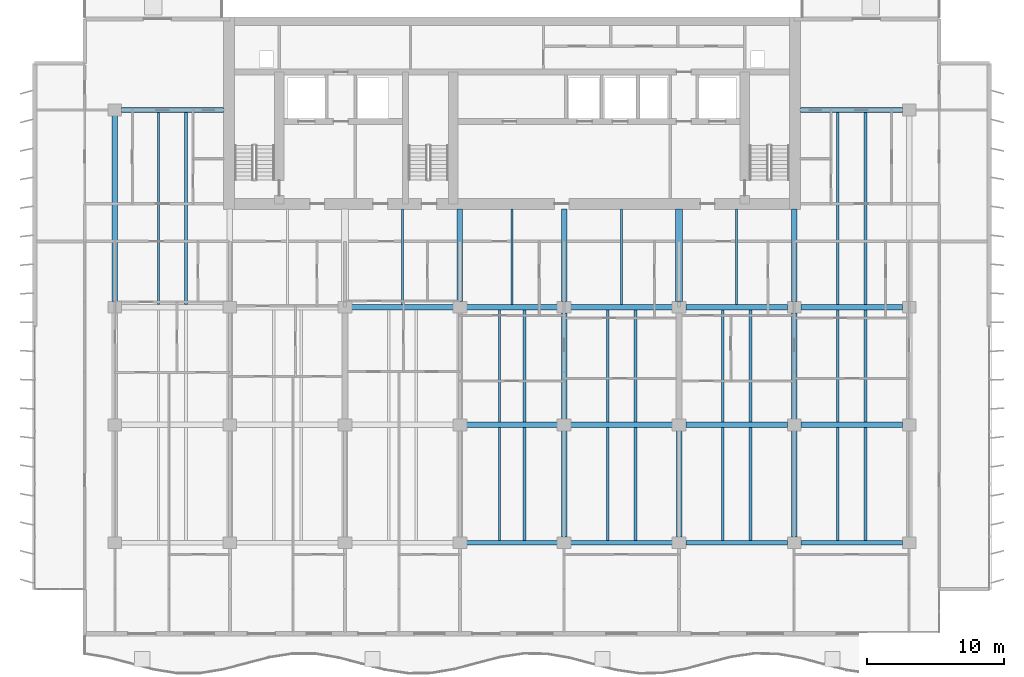
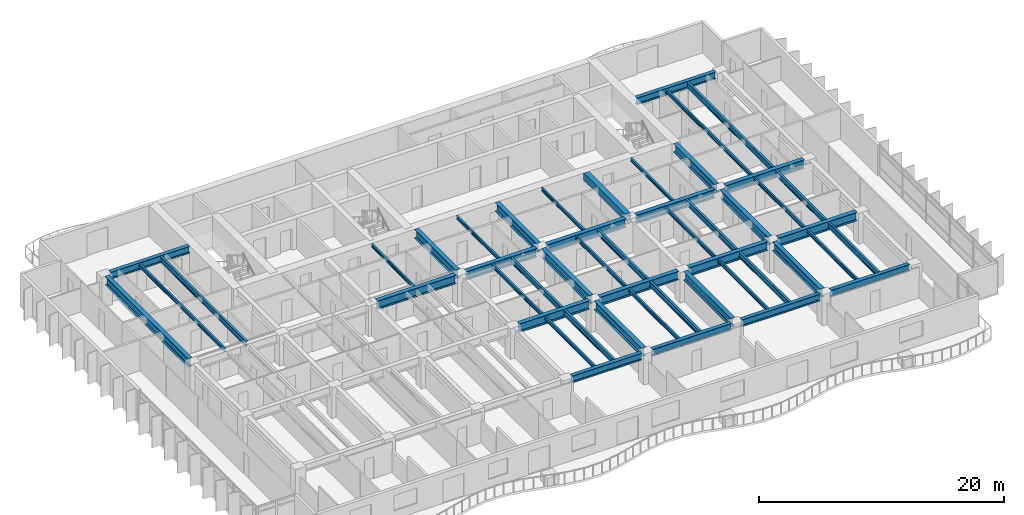
# One storey, part 3 of 16: 49 beams.
"""IFC4 building model written with IfcOpenShell, lengths in metres."""

from ifc_helpers import new_model, si_unit, direction, frame, origin, origin_2d, place, context, subcontext, project, spatial, rectangle, i_section, extrude, material, material_profile, profile_set, type_object, element, save


model = new_model("IFC4")

# Units and contexts
model_context = context("Model", 3, precision=1e-05, world=origin(), true_north=direction((0.0, 1.0)))
body_context = subcontext(model_context, "Body", "Model", "MODEL_VIEW")
ifc_project = project(units=[si_unit("LENGTHUNIT", "METRE"), si_unit("AREAUNIT", "SQUARE_METRE"), si_unit("VOLUMEUNIT", "CUBIC_METRE"), si_unit("PLANEANGLEUNIT", "RADIAN"), si_unit("MASSUNIT", "GRAM", prefix="KILO")], contexts=[model_context])

# Site, building, storey
site_placement = place(None, origin())
site = spatial("IfcSite", under=ifc_project, at=site_placement, CompositionType="ELEMENT")
building_placement = place(site_placement, origin())
building = spatial("IfcBuilding", under=site, at=building_placement, Name="Caelmar Bay Residences", CompositionType="ELEMENT")
storey_placement = place(building_placement, frame((0.0, 0.0, 142.199951171875)))
storey = spatial("IfcBuildingStorey", under=building, at=storey_placement, Name="L39", CompositionType="ELEMENT", Elevation=142.199951171875)

# Beams
ifc_material_1 = material(Name="Steel ASTM A992 Grade 50", Category="steel")
ifc_material_profile_1 = material_profile(ifc_material_1, i_section(OverallWidth=0.40087890625, OverallDepth=0.861083984375, WebThickness=0.019775390625, FlangeThickness=0.032470703125, FilletRadius=0.017822265625, at=origin_2d()), Name="W33X221")
ifc_profile_set_1 = profile_set([ifc_material_profile_1], Name="Steel ASTM A992 Grade 50")
beam_type_1 = type_object("IfcBeamType", Name="BM-GRD-W33X221", PredefinedType="BEAM", material=ifc_profile_set_1)
beam_1_placement = place(storey_placement, frame((35.590087890625, 20.800048828125, 2.61962890625), z_axis=(1.0, 0.0, 0.0), x_axis=(0.0, 1.0, 0.0)))
element("IfcBeam", 1, at=beam_1_placement, inside=storey, type_object=beam_type_1, Name="L39 East-West Girder Y=20.80 (35.1-42.7)", PredefinedType="BEAM", context=body_context, shape_type="SweptSolid", body=[
    extrude(i_section(OverallWidth=0.40087890625, OverallDepth=0.861083984375, WebThickness=0.019775390625, FlangeThickness=0.032470703125, FilletRadius=0.017822265625, at=origin_2d()), origin(), (0.0, 0.0, 1.0), 6.619873046875),
])
beam_2_placement = place(storey_placement, frame((43.18994140625, 20.800048828125, 2.61962890625), z_axis=(1.0, 0.0, 0.0), x_axis=(0.0, 1.0, 0.0)))
element("IfcBeam", 2, at=beam_2_placement, inside=storey, type_object=beam_type_1, Name="L39 East-West Girder Y=20.80 (42.7-51.1)", PredefinedType="BEAM", context=body_context, shape_type="SweptSolid", body=[
    extrude(i_section(OverallWidth=0.40087890625, OverallDepth=0.861083984375, WebThickness=0.019775390625, FlangeThickness=0.032470703125, FilletRadius=0.017822265625, at=origin_2d()), origin(), (0.0, 0.0, 1.0), 7.420166015625),
])
for number, where, z_axis, x_axis, name in (
    (3, (51.590087890625, 20.800048828125, 2.61962890625), (1.0, 0.0, 0.0), (0.0, 1.0, 0.0), "L39 East-West Girder Y=20.80 (51.1-59.5)"),
    (4, (59.989990234375, 20.800048828125, 2.61962890625), (1.0, 0.0, 0.0), (0.0, 1.0, 0.0), "L39 East-West Girder Y=20.80 (59.5-67.9)"),
):
    element("IfcBeam", number, at=place(storey_placement, frame(where, z_axis=z_axis, x_axis=x_axis)), inside=storey, type_object=beam_type_1, Name=name, PredefinedType="BEAM", context=body_context, shape_type="SweptSolid", body=[
        extrude(i_section(OverallWidth=0.40087890625, OverallDepth=0.861083984375, WebThickness=0.019775390625, FlangeThickness=0.032470703125, FilletRadius=0.017822265625, at=origin_2d()), origin(), (0.0, 0.0, 1.0), 7.419921875),
    ])
beam_3_placement = place(storey_placement, frame((27.18994140625, 29.39990234375, 2.61962890625), z_axis=(1.0, 0.0, 0.0), x_axis=(0.0, 1.0, 0.0)))
element("IfcBeam", 5, at=beam_3_placement, inside=storey, type_object=beam_type_1, Name="L39 East-West Girder Y=29.40 (26.7-35.1)", PredefinedType="BEAM", context=body_context, shape_type="SweptSolid", body=[
    extrude(i_section(OverallWidth=0.40087890625, OverallDepth=0.861083984375, WebThickness=0.019775390625, FlangeThickness=0.032470703125, FilletRadius=0.017822265625, at=origin_2d()), origin(), (0.0, 0.0, 1.0), 7.420166015625),
])
beam_4_placement = place(storey_placement, frame((35.590087890625, 29.39990234375, 2.61962890625), z_axis=(1.0, 0.0, 0.0), x_axis=(0.0, 1.0, 0.0)))
element("IfcBeam", 6, at=beam_4_placement, inside=storey, type_object=beam_type_1, Name="L39 East-West Girder Y=29.40 (35.1-42.7)", PredefinedType="BEAM", context=body_context, shape_type="SweptSolid", body=[
    extrude(i_section(OverallWidth=0.40087890625, OverallDepth=0.861083984375, WebThickness=0.019775390625, FlangeThickness=0.032470703125, FilletRadius=0.017822265625, at=origin_2d()), origin(), (0.0, 0.0, 1.0), 6.619873046875),
])
beam_5_placement = place(storey_placement, frame((43.18994140625, 29.39990234375, 2.61962890625), z_axis=(1.0, 0.0, 0.0), x_axis=(0.0, 1.0, 0.0)))
element("IfcBeam", 7, at=beam_5_placement, inside=storey, type_object=beam_type_1, Name="L39 East-West Girder Y=29.40 (42.7-51.1)", PredefinedType="BEAM", context=body_context, shape_type="SweptSolid", body=[
    extrude(i_section(OverallWidth=0.40087890625, OverallDepth=0.861083984375, WebThickness=0.019775390625, FlangeThickness=0.032470703125, FilletRadius=0.017822265625, at=origin_2d()), origin(), (0.0, 0.0, 1.0), 7.420166015625),
])
for number, where, z_axis, x_axis, name in (
    (8, (51.590087890625, 29.39990234375, 2.61962890625), (1.0, 0.0, 0.0), (0.0, 1.0, 0.0), "L39 East-West Girder Y=29.40 (51.1-59.5)"),
    (9, (59.989990234375, 29.39990234375, 2.61962890625), (1.0, 0.0, 0.0), (0.0, 1.0, 0.0), "L39 East-West Girder Y=29.40 (59.5-67.9)"),
):
    element("IfcBeam", number, at=place(storey_placement, frame(where, z_axis=z_axis, x_axis=x_axis)), inside=storey, type_object=beam_type_1, Name=name, PredefinedType="BEAM", context=body_context, shape_type="SweptSolid", body=[
        extrude(i_section(OverallWidth=0.40087890625, OverallDepth=0.861083984375, WebThickness=0.019775390625, FlangeThickness=0.032470703125, FilletRadius=0.017822265625, at=origin_2d()), origin(), (0.0, 0.0, 1.0), 7.419921875),
    ])
beam_6_placement = place(storey_placement, frame((9.89990234375, 29.81494140625, 2.61962890625), z_axis=(0.0, 1.0, 0.0), x_axis=(-1.0, 0.0, 0.0)))
element("IfcBeam", 10, at=beam_6_placement, inside=storey, type_object=beam_type_1, Name="L39 North-South Girder X=9.90 (29.4-43.8)", PredefinedType="BEAM", context=body_context, shape_type="SweptSolid", body=[
    extrude(i_section(OverallWidth=0.40087890625, OverallDepth=0.861083984375, WebThickness=0.019775390625, FlangeThickness=0.032470703125, FilletRadius=0.017822265625, at=origin_2d()), origin(), (0.0, 0.0, 1.0), 13.570068359375),
])
for number, where, z_axis, x_axis, name in (
    (11, (35.10009765625, 29.81494140625, 2.61962890625), (0.0, 1.0, 0.0), (-1.0, 0.0, 0.0), "L39 Core Tie Girder X=35.10"),
    (12, (42.699951171875, 29.81494140625, 2.61962890625), (0.0, 1.0, 0.0), (-1.0, 0.0, 0.0), "L39 Core Tie Girder X=42.70"),
):
    element("IfcBeam", number, at=place(storey_placement, frame(where, z_axis=z_axis, x_axis=x_axis)), inside=storey, type_object=beam_type_1, Name=name, PredefinedType="BEAM", context=body_context, shape_type="SweptSolid", body=[
        extrude(i_section(OverallWidth=0.40087890625, OverallDepth=0.861083984375, WebThickness=0.019775390625, FlangeThickness=0.032470703125, FilletRadius=0.017822265625, at=origin_2d()), origin(), (0.0, 0.0, 1.0), 6.735107421875),
    ])
for number, where, z_axis, x_axis, name in (
    (13, (42.699951171875, 12.614990234375, 2.61962890625), (0.0, 1.0, 0.0), (-1.0, 0.0, 0.0), "L39 North-South Girder X=42.70 (12.2-20.8)"),
    (14, (42.699951171875, 21.215087890625, 2.61962890625), (0.0, 1.0, 0.0), (-1.0, 0.0, 0.0), "L39 North-South Girder X=42.70 (20.8-29.4)"),
    (15, (51.10009765625, 12.614990234375, 2.61962890625), (0.0, 1.0, 0.0), (-1.0, 0.0, 0.0), "L39 North-South Girder X=51.10 (12.2-20.8)"),
):
    element("IfcBeam", number, at=place(storey_placement, frame(where, z_axis=z_axis, x_axis=x_axis)), inside=storey, type_object=beam_type_1, Name=name, PredefinedType="BEAM", context=body_context, shape_type="SweptSolid", body=[
        extrude(i_section(OverallWidth=0.40087890625, OverallDepth=0.861083984375, WebThickness=0.019775390625, FlangeThickness=0.032470703125, FilletRadius=0.017822265625, at=origin_2d()), origin(), (0.0, 0.0, 1.0), 7.77001953125),
    ])
beam_7_placement = place(storey_placement, frame((59.5, 29.81494140625, 2.61962890625), z_axis=(0.0, 1.0, 0.0), x_axis=(-1.0, 0.0, 0.0)))
element("IfcBeam", 16, at=beam_7_placement, inside=storey, type_object=beam_type_1, Name="L39 Core Tie Girder X=59.50", PredefinedType="BEAM", context=body_context, shape_type="SweptSolid", body=[
    extrude(i_section(OverallWidth=0.40087890625, OverallDepth=0.861083984375, WebThickness=0.019775390625, FlangeThickness=0.032470703125, FilletRadius=0.017822265625, at=origin_2d()), origin(), (0.0, 0.0, 1.0), 6.735107421875),
])
for number, where, z_axis, x_axis, name in (
    (17, (59.5, 12.614990234375, 2.61962890625), (0.0, 1.0, 0.0), (-1.0, 0.0, 0.0), "L39 North-South Girder X=59.50 (12.2-20.8)"),
    (18, (59.5, 21.215087890625, 2.61962890625), (0.0, 1.0, 0.0), (-1.0, 0.0, 0.0), "L39 North-South Girder X=59.50 (20.8-29.4)"),
):
    element("IfcBeam", number, at=place(storey_placement, frame(where, z_axis=z_axis, x_axis=x_axis)), inside=storey, type_object=beam_type_1, Name=name, PredefinedType="BEAM", context=body_context, shape_type="SweptSolid", body=[
        extrude(i_section(OverallWidth=0.40087890625, OverallDepth=0.861083984375, WebThickness=0.019775390625, FlangeThickness=0.032470703125, FilletRadius=0.017822265625, at=origin_2d()), origin(), (0.0, 0.0, 1.0), 7.77001953125),
    ])
ifc_material_profile_2 = material_profile(ifc_material_1, i_section(OverallWidth=0.1650390625, OverallDepth=0.31005859375, WebThickness=0.005859375, FlangeThickness=0.009765625, FilletRadius=0.007568359375, at=origin_2d()), Name="W12X26")
ifc_profile_set_2 = profile_set([ifc_material_profile_2], Name="Steel ASTM A992 Grade 50")
beam_type_2 = type_object("IfcBeamType", Name="BM-JST-W12X26", PredefinedType="JOIST", material=ifc_profile_set_2)
for number, where, z_axis, x_axis, name in (
    (19, (30.89990234375, 29.6005859375, 2.89501953125), (0.0, 1.0, 0.0), (-1.0, 0.0, 0.0), "L39 Core-Band Composite Joist 30"),
    (20, (38.89990234375, 29.6005859375, 2.89501953125), (0.0, 1.0, 0.0), (-1.0, 0.0, 0.0), "L39 Core-Band Composite Joist 31"),
    (21, (46.89990234375, 29.6005859375, 2.89501953125), (0.0, 1.0, 0.0), (-1.0, 0.0, 0.0), "L39 Core-Band Composite Joist 32"),
    (22, (55.300048828125, 29.6005859375, 2.89501953125), (0.0, 1.0, 0.0), (-1.0, 0.0, 0.0), "L39 Core-Band Composite Joist 33"),
):
    element("IfcBeam", number, at=place(storey_placement, frame(where, z_axis=z_axis, x_axis=x_axis)), inside=storey, type_object=beam_type_2, Name=name, PredefinedType="JOIST", context=body_context, shape_type="SweptSolid", body=[
        extrude(i_section(OverallWidth=0.1650390625, OverallDepth=0.31005859375, WebThickness=0.005859375, FlangeThickness=0.009765625, FilletRadius=0.007568359375, at=origin_2d()), origin(), (0.0, 0.0, 1.0), 6.949462890625),
    ])
ifc_material_profile_3 = material_profile(ifc_material_1, i_section(OverallWidth=0.1708984375, OverallDepth=0.35595703125, WebThickness=0.007080078125, FlangeThickness=0.01171875, FilletRadius=0.007568359375, at=origin_2d()), Name="W14X34")
ifc_profile_set_3 = profile_set([ifc_material_profile_3], Name="Steel ASTM A992 Grade 50")
beam_type_3 = type_object("IfcBeamType", Name="BM-JST-W14X34", PredefinedType="JOIST", material=ifc_profile_set_3)
for number, where, z_axis, x_axis, name in (
    (23, (37.988037109375, 12.3779296875, 2.8720703125), (0.0, 1.0, 0.0), (-1.0, 0.0, 0.0), "L39 Composite Floor Joist 7"),
    (24, (45.89208984375, 12.3779296875, 2.8720703125), (0.0, 1.0, 0.0), (-1.0, 0.0, 0.0), "L39 Composite Floor Joist 9"),
    (25, (54.2919921875, 12.3779296875, 2.8720703125), (0.0, 1.0, 0.0), (-1.0, 0.0, 0.0), "L39 Composite Floor Joist 11"),
    (26, (62.69189453125, 12.3779296875, 2.8720703125), (0.0, 1.0, 0.0), (-1.0, 0.0, 0.0), "L39 Composite Floor Joist 13"),
):
    element("IfcBeam", number, at=place(storey_placement, frame(where, z_axis=z_axis, x_axis=x_axis)), inside=storey, type_object=beam_type_3, Name=name, PredefinedType="JOIST", context=body_context, shape_type="SweptSolid", body=[
        extrude(i_section(OverallWidth=0.1708984375, OverallDepth=0.35595703125, WebThickness=0.007080078125, FlangeThickness=0.01171875, FilletRadius=0.007568359375, at=origin_2d()), origin(), (0.0, 0.0, 1.0), 8.2216796875),
    ])
for number, where, z_axis, x_axis, name in (
    (27, (37.988037109375, 21.00048828125, 2.8720703125), (0.0, 1.0, 0.0), (-1.0, 0.0, 0.0), "L39 Composite Floor Joist 21"),
    (28, (45.89208984375, 21.00048828125, 2.8720703125), (0.0, 1.0, 0.0), (-1.0, 0.0, 0.0), "L39 Composite Floor Joist 23"),
    (29, (54.2919921875, 21.00048828125, 2.8720703125), (0.0, 1.0, 0.0), (-1.0, 0.0, 0.0), "L39 Composite Floor Joist 25"),
    (30, (62.69189453125, 21.00048828125, 2.8720703125), (0.0, 1.0, 0.0), (-1.0, 0.0, 0.0), "L39 Composite Floor Joist 27"),
):
    element("IfcBeam", number, at=place(storey_placement, frame(where, z_axis=z_axis, x_axis=x_axis)), inside=storey, type_object=beam_type_3, Name=name, PredefinedType="JOIST", context=body_context, shape_type="SweptSolid", body=[
        extrude(i_section(OverallWidth=0.1708984375, OverallDepth=0.35595703125, WebThickness=0.007080078125, FlangeThickness=0.01171875, FilletRadius=0.007568359375, at=origin_2d()), origin(), (0.0, 0.0, 1.0), 8.198974609375),
    ])
for number, where, z_axis, x_axis, name in (
    (31, (13.092041015625, 29.6005859375, 2.8720703125), (0.0, 1.0, 0.0), (-1.0, 0.0, 0.0), "L39 Composite Floor Joist 34"),
    (32, (62.69189453125, 29.6005859375, 2.8720703125), (0.0, 1.0, 0.0), (-1.0, 0.0, 0.0), "L39 Composite Floor Joist 36"),
):
    element("IfcBeam", number, at=place(storey_placement, frame(where, z_axis=z_axis, x_axis=x_axis)), inside=storey, type_object=beam_type_3, Name=name, PredefinedType="JOIST", context=body_context, shape_type="SweptSolid", body=[
        extrude(i_section(OverallWidth=0.1708984375, OverallDepth=0.35595703125, WebThickness=0.007080078125, FlangeThickness=0.01171875, FilletRadius=0.007568359375, at=origin_2d()), origin(), (0.0, 0.0, 1.0), 14.021484375),
    ])
ifc_material_profile_4 = material_profile(ifc_material_1, i_section(OverallWidth=0.2099609375, OverallDepth=0.535888671875, WebThickness=0.010986328125, FlangeThickness=0.017333984375, FilletRadius=0.0126953125, at=origin_2d()), Name="W21X68")
ifc_profile_set_4 = profile_set([ifc_material_profile_4], Name="Steel ASTM A992 Grade 50")
beam_type_4 = type_object("IfcBeamType", Name="BM-JST-W21X68", PredefinedType="JOIST", material=ifc_profile_set_4)
for number, where, z_axis, x_axis, name in (
    (33, (39.81201171875, 12.3779296875, 2.781982421875), (0.0, 1.0, 0.0), (-1.0, 0.0, 0.0), "L39 Composite Floor Joist 8"),
    (34, (47.907958984375, 12.3779296875, 2.781982421875), (0.0, 1.0, 0.0), (-1.0, 0.0, 0.0), "L39 Composite Floor Joist 10"),
    (35, (56.30810546875, 12.3779296875, 2.781982421875), (0.0, 1.0, 0.0), (-1.0, 0.0, 0.0), "L39 Composite Floor Joist 12"),
    (36, (64.7080078125, 12.3779296875, 2.781982421875), (0.0, 1.0, 0.0), (-1.0, 0.0, 0.0), "L39 Composite Floor Joist 14"),
):
    element("IfcBeam", number, at=place(storey_placement, frame(where, z_axis=z_axis, x_axis=x_axis)), inside=storey, type_object=beam_type_4, Name=name, PredefinedType="JOIST", context=body_context, shape_type="SweptSolid", body=[
        extrude(i_section(OverallWidth=0.2099609375, OverallDepth=0.535888671875, WebThickness=0.010986328125, FlangeThickness=0.017333984375, FilletRadius=0.0126953125, at=origin_2d()), origin(), (0.0, 0.0, 1.0), 8.2216796875),
    ])
for number, where, z_axis, x_axis, name in (
    (37, (39.81201171875, 21.00048828125, 2.781982421875), (0.0, 1.0, 0.0), (-1.0, 0.0, 0.0), "L39 Composite Floor Joist 22"),
    (38, (47.907958984375, 21.00048828125, 2.781982421875), (0.0, 1.0, 0.0), (-1.0, 0.0, 0.0), "L39 Composite Floor Joist 24"),
    (39, (56.30810546875, 21.00048828125, 2.781982421875), (0.0, 1.0, 0.0), (-1.0, 0.0, 0.0), "L39 Composite Floor Joist 26"),
    (40, (64.7080078125, 21.00048828125, 2.781982421875), (0.0, 1.0, 0.0), (-1.0, 0.0, 0.0), "L39 Composite Floor Joist 28"),
):
    element("IfcBeam", number, at=place(storey_placement, frame(where, z_axis=z_axis, x_axis=x_axis)), inside=storey, type_object=beam_type_4, Name=name, PredefinedType="JOIST", context=body_context, shape_type="SweptSolid", body=[
        extrude(i_section(OverallWidth=0.2099609375, OverallDepth=0.535888671875, WebThickness=0.010986328125, FlangeThickness=0.017333984375, FilletRadius=0.0126953125, at=origin_2d()), origin(), (0.0, 0.0, 1.0), 8.198974609375),
    ])
for number, where, z_axis, x_axis, name in (
    (41, (15.10791015625, 29.6005859375, 2.781982421875), (0.0, 1.0, 0.0), (-1.0, 0.0, 0.0), "L39 Composite Floor Joist 35"),
    (42, (64.7080078125, 29.6005859375, 2.781982421875), (0.0, 1.0, 0.0), (-1.0, 0.0, 0.0), "L39 Composite Floor Joist 37"),
):
    element("IfcBeam", number, at=place(storey_placement, frame(where, z_axis=z_axis, x_axis=x_axis)), inside=storey, type_object=beam_type_4, Name=name, PredefinedType="JOIST", context=body_context, shape_type="SweptSolid", body=[
        extrude(i_section(OverallWidth=0.2099609375, OverallDepth=0.535888671875, WebThickness=0.010986328125, FlangeThickness=0.017333984375, FilletRadius=0.0126953125, at=origin_2d()), origin(), (0.0, 0.0, 1.0), 14.021484375),
    ])
ifc_material_2 = material(Name="Concrete f'c 55 MPa (8,000 psi)", Category="concrete")
ifc_material_profile_5 = material_profile(ifc_material_2, rectangle(XDim=0.5, YDim=0.699951171875, at=origin_2d()), Name="RC-BM-500X700")
ifc_profile_set_5 = profile_set([ifc_material_profile_5], Name="Concrete f'c 55 MPa (8,000 psi)")
beam_type_5 = type_object("IfcBeamType", Name="BM-RC-500X700", PredefinedType="LINTEL", material=ifc_profile_set_5)
beam_8_placement = place(storey_placement, frame((51.10009765625, 29.81494140625, 2.699951171875), z_axis=(0.0, 1.0, 0.0), x_axis=(-1.0, 0.0, 0.0)))
element("IfcBeam", 43, at=beam_8_placement, inside=storey, type_object=beam_type_5, Name="L39 Shear-Wall Corridor Coupling Lintel E8", PredefinedType="LINTEL", context=body_context, shape_type="SweptSolid", body=[
    extrude(rectangle(XDim=0.5, YDim=0.699951171875, at=origin_2d()), origin(), (0.0, 0.0, 1.0), 6.735107421875),
])
ifc_material_profile_6 = material_profile(ifc_material_1, i_section(OverallWidth=0.35595703125, OverallDepth=0.696044921875, WebThickness=0.015380859375, FlangeThickness=0.02490234375, FilletRadius=0.01513671875, at=origin_2d()), Name="W27X146")
ifc_profile_set_6 = profile_set([ifc_material_profile_6], Name="Steel ASTM A992 Grade 50")
beam_type_6 = type_object("IfcBeamType", Name="BM-SPN-W27X146", PredefinedType="SPANDREL", material=ifc_profile_set_6)
beam_9_placement = place(storey_placement, frame((35.590087890625, 12.199951171875, 2.7021484375), z_axis=(1.0, 0.0, 0.0), x_axis=(0.0, 1.0, 0.0)))
element("IfcBeam", 44, at=beam_9_placement, inside=storey, type_object=beam_type_6, Name="L39 East-West Girder Y=12.20 (35.1-42.7)", PredefinedType="SPANDREL", context=body_context, shape_type="SweptSolid", body=[
    extrude(i_section(OverallWidth=0.35595703125, OverallDepth=0.696044921875, WebThickness=0.015380859375, FlangeThickness=0.02490234375, FilletRadius=0.01513671875, at=origin_2d()), origin(), (0.0, 0.0, 1.0), 6.619873046875),
])
beam_10_placement = place(storey_placement, frame((43.18994140625, 12.199951171875, 2.7021484375), z_axis=(1.0, 0.0, 0.0), x_axis=(0.0, 1.0, 0.0)))
element("IfcBeam", 45, at=beam_10_placement, inside=storey, type_object=beam_type_6, Name="L39 East-West Girder Y=12.20 (42.7-51.1)", PredefinedType="SPANDREL", context=body_context, shape_type="SweptSolid", body=[
    extrude(i_section(OverallWidth=0.35595703125, OverallDepth=0.696044921875, WebThickness=0.015380859375, FlangeThickness=0.02490234375, FilletRadius=0.01513671875, at=origin_2d()), origin(), (0.0, 0.0, 1.0), 7.420166015625),
])
for number, where, z_axis, x_axis, name in (
    (46, (51.590087890625, 12.199951171875, 2.7021484375), (1.0, 0.0, 0.0), (0.0, 1.0, 0.0), "L39 East-West Girder Y=12.20 (51.1-59.5)"),
    (47, (59.989990234375, 12.199951171875, 2.7021484375), (1.0, 0.0, 0.0), (0.0, 1.0, 0.0), "L39 East-West Girder Y=12.20 (59.5-67.9)"),
):
    element("IfcBeam", number, at=place(storey_placement, frame(where, z_axis=z_axis, x_axis=x_axis)), inside=storey, type_object=beam_type_6, Name=name, PredefinedType="SPANDREL", context=body_context, shape_type="SweptSolid", body=[
        extrude(i_section(OverallWidth=0.35595703125, OverallDepth=0.696044921875, WebThickness=0.015380859375, FlangeThickness=0.02490234375, FilletRadius=0.01513671875, at=origin_2d()), origin(), (0.0, 0.0, 1.0), 7.419921875),
    ])
beam_11_placement = place(storey_placement, frame((10.389892578125, 43.800048828125, 2.7021484375), z_axis=(1.0, 0.0, 0.0), x_axis=(0.0, 1.0, 0.0)))
element("IfcBeam", 48, at=beam_11_placement, inside=storey, type_object=beam_type_6, Name="L39 North-West Wing Core Tie Girder", PredefinedType="SPANDREL", context=body_context, shape_type="SweptSolid", body=[
    extrude(i_section(OverallWidth=0.35595703125, OverallDepth=0.696044921875, WebThickness=0.015380859375, FlangeThickness=0.02490234375, FilletRadius=0.01513671875, at=origin_2d()), origin(), (0.0, 0.0, 1.0), 7.460205078125),
])
beam_12_placement = place(storey_placement, frame((59.949951171875, 43.800048828125, 2.7021484375), z_axis=(1.0, 0.0, 0.0), x_axis=(0.0, 1.0, 0.0)))
element("IfcBeam", 49, at=beam_12_placement, inside=storey, type_object=beam_type_6, Name="L39 North-East Wing Core Tie Girder", PredefinedType="SPANDREL", context=body_context, shape_type="SweptSolid", body=[
    extrude(i_section(OverallWidth=0.35595703125, OverallDepth=0.696044921875, WebThickness=0.015380859375, FlangeThickness=0.02490234375, FilletRadius=0.01513671875, at=origin_2d()), origin(), (0.0, 0.0, 1.0), 7.4599609375),
])

save(model, "model.ifc")
